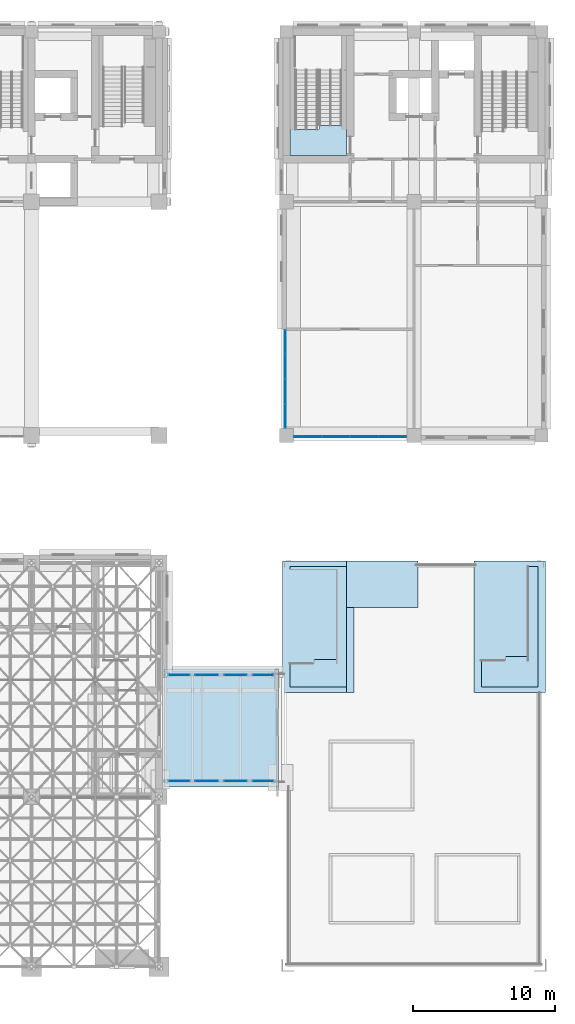
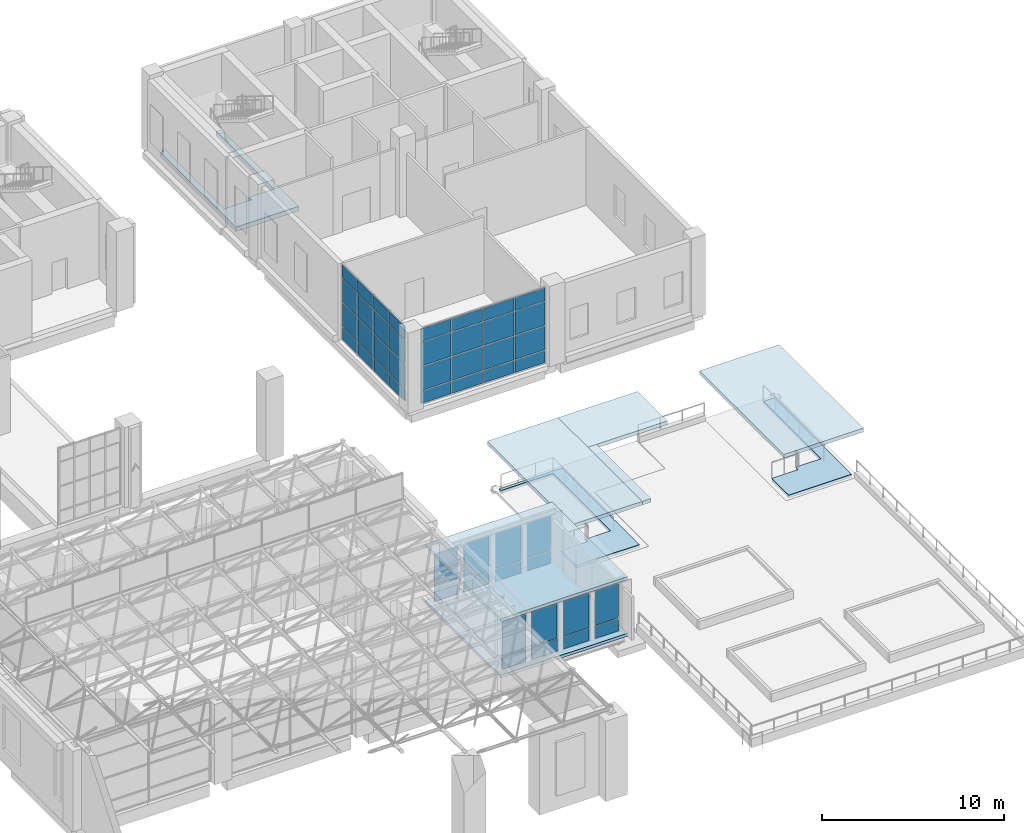
# One storey, part 23 of 53: 48 plates, 9 slabs, 11 elements without a shape of their own.
"""IFC4 building model written with IfcOpenShell, lengths in metres."""

from ifc_helpers import new_model, si_unit, direction, frame, origin, origin_2d, place, context, subcontext, project, spatial, polyline, rectangle, outline, extrude, material, layer, layer_set, type_object, element, aggregate, save


model = new_model("IFC4")

# Units and contexts
model_context = context("Model", 3, precision=1e-05, world=origin(), true_north=direction((0.0, 1.0)))
body_context = subcontext(model_context, "Body", "Model", "MODEL_VIEW")
ifc_project = project(units=[si_unit("LENGTHUNIT", "METRE"), si_unit("AREAUNIT", "SQUARE_METRE"), si_unit("VOLUMEUNIT", "CUBIC_METRE"), si_unit("PLANEANGLEUNIT", "RADIAN"), si_unit("MASSUNIT", "GRAM", prefix="KILO")], contexts=[model_context])

# Site, building, storey
site_placement = place(None, origin())
site = spatial("IfcSite", under=ifc_project, at=site_placement, CompositionType="ELEMENT")
building_placement = place(site_placement, origin())
building = spatial("IfcBuilding", under=site, at=building_placement, Name="Aurelan Courthouse", CompositionType="ELEMENT")
storey_placement = place(building_placement, frame((0.0, 0.0, 12.0)))
storey = spatial("IfcBuildingStorey", under=building, at=storey_placement, Name="L02", CompositionType="ELEMENT", Elevation=12.0)

# Curtain wall, plates
ifc_material_1 = material(Name="Bronze-finished aluminium and glass", Category="aluminium")
ifc_layer_1 = layer(ifc_material_1, 0.14990234375)
ifc_layer_set_1 = layer_set([ifc_layer_1], Name="Bronze-finished aluminium and glass")
curtain_wall_type_1 = type_object("IfcCurtainWallType", Name="Curtain wall 8000 x 5150", PredefinedType="NOTDEFINED", material=ifc_layer_set_1)
curtain_wall_1_placement = place(storey_placement, origin())
curtain_wall_1 = element("IfcCurtainWall", 1, at=curtain_wall_1_placement, inside=storey, type_object=curtain_wall_type_1, Name="Curtain wall CW-V3-L02-S01", PredefinedType="NOTDEFINED")
ifc_material_2 = material(Name="Bronze-finished aluminium", Category="aluminium")
ifc_layer_2 = layer(ifc_material_2, 0.070068359375)
ifc_layer_set_2 = layer_set([ifc_layer_2], Name="Bronze-finished aluminium")
plate_type_1 = type_object("IfcPlateType", Name="Bronze spandrel panel 70", PredefinedType="CURTAIN_PANEL", material=ifc_layer_set_2)
plate_1_placement = place(storey_placement, frame((73.514892578125, 37.425048828125, 4.22998046875), z_axis=(0.0, 0.0, 1.0), x_axis=(1.0, 0.0, 0.0)))
plate_1 = element("IfcPlate", 2, at=plate_1_placement, type_object=plate_type_1, Name="CW-V3-L02-S01 spandrel panel 1.4", PredefinedType="CURTAIN_PANEL", context=body_context, shape_type="SweptSolid", body=[
    extrude(rectangle(XDim=1.909912109375, YDim=0.070068359375, at=origin_2d()), origin(), (0.0, 0.0, 1.0), 0.860107421875),
])
plate_2_placement = place(storey_placement, frame((75.5, 37.425048828125, 4.22998046875), z_axis=(0.0, 0.0, 1.0), x_axis=(1.0, 0.0, 0.0)))
plate_2 = element("IfcPlate", 3, at=plate_2_placement, type_object=plate_type_1, Name="CW-V3-L02-S01 spandrel panel 2.4", PredefinedType="CURTAIN_PANEL", context=body_context, shape_type="SweptSolid", body=[
    extrude(rectangle(XDim=1.93994140625, YDim=0.070068359375, at=origin_2d()), origin(), (0.0, 0.0, 1.0), 0.860107421875),
])
plate_3_placement = place(storey_placement, frame((77.5, 37.425048828125, 4.22998046875), z_axis=(0.0, 0.0, 1.0), x_axis=(1.0, 0.0, 0.0)))
plate_3 = element("IfcPlate", 4, at=plate_3_placement, type_object=plate_type_1, Name="CW-V3-L02-S01 spandrel panel 3.4", PredefinedType="CURTAIN_PANEL", context=body_context, shape_type="SweptSolid", body=[
    extrude(rectangle(XDim=1.93994140625, YDim=0.070068359375, at=origin_2d()), origin(), (0.0, 0.0, 1.0), 0.860107421875),
])
plate_4_placement = place(storey_placement, frame((79.485107421875, 37.425048828125, 4.22998046875), z_axis=(0.0, 0.0, 1.0), x_axis=(1.0, 0.0, 0.0)))
plate_4 = element("IfcPlate", 5, at=plate_4_placement, type_object=plate_type_1, Name="CW-V3-L02-S01 spandrel panel 4.4", PredefinedType="CURTAIN_PANEL", context=body_context, shape_type="SweptSolid", body=[
    extrude(rectangle(XDim=1.909912109375, YDim=0.070068359375, at=origin_2d()), origin(), (0.0, 0.0, 1.0), 0.860107421875),
])

ifc_layer_3 = layer(ifc_material_1, 0.14990234375)
ifc_layer_set_3 = layer_set([ifc_layer_3], Name="Bronze-finished aluminium and glass")
curtain_wall_type_2 = type_object("IfcCurtainWallType", Name="Curtain wall 7000 x 5150", PredefinedType="NOTDEFINED", material=ifc_layer_set_3)
curtain_wall_2_placement = place(storey_placement, origin())
curtain_wall_2 = element("IfcCurtainWall", 6, at=curtain_wall_2_placement, inside=storey, type_object=curtain_wall_type_2, Name="Curtain wall CW-V3-L02-W01", PredefinedType="NOTDEFINED")
plate_5_placement = place(storey_placement, frame((71.925048828125, 38.889892578125, 4.22998046875), z_axis=(0.0, 0.0, 1.0), x_axis=(0.0, 1.0, 0.0)))
plate_5 = element("IfcPlate", 7, at=plate_5_placement, type_object=plate_type_1, Name="CW-V3-L02-W01 spandrel panel 1.4", PredefinedType="CURTAIN_PANEL", context=body_context, shape_type="SweptSolid", body=[
    extrude(rectangle(XDim=1.659912109375, YDim=0.070068359375, at=origin_2d()), origin(), (0.0, 0.0, 1.0), 0.860107421875),
])
plate_6_placement = place(storey_placement, frame((71.925048828125, 40.625, 4.22998046875), z_axis=(0.0, 0.0, 1.0), x_axis=(0.0, 1.0, 0.0)))
plate_6 = element("IfcPlate", 8, at=plate_6_placement, type_object=plate_type_1, Name="CW-V3-L02-W01 spandrel panel 2.4", PredefinedType="CURTAIN_PANEL", context=body_context, shape_type="SweptSolid", body=[
    extrude(rectangle(XDim=1.68994140625, YDim=0.070068359375, at=origin_2d()), origin(), (0.0, 0.0, 1.0), 0.860107421875),
])
plate_7_placement = place(storey_placement, frame((71.925048828125, 42.375, 4.22998046875), z_axis=(0.0, 0.0, 1.0), x_axis=(0.0, 1.0, 0.0)))
plate_7 = element("IfcPlate", 9, at=plate_7_placement, type_object=plate_type_1, Name="CW-V3-L02-W01 spandrel panel 3.4", PredefinedType="CURTAIN_PANEL", context=body_context, shape_type="SweptSolid", body=[
    extrude(rectangle(XDim=1.68994140625, YDim=0.070068359375, at=origin_2d()), origin(), (0.0, 0.0, 1.0), 0.860107421875),
])
plate_8_placement = place(storey_placement, frame((71.925048828125, 44.110107421875, 4.22998046875), z_axis=(0.0, 0.0, 1.0), x_axis=(0.0, 1.0, 0.0)))
plate_8 = element("IfcPlate", 10, at=plate_8_placement, type_object=plate_type_1, Name="CW-V3-L02-W01 spandrel panel 4.4", PredefinedType="CURTAIN_PANEL", context=body_context, shape_type="SweptSolid", body=[
    extrude(rectangle(XDim=1.659912109375, YDim=0.070068359375, at=origin_2d()), origin(), (0.0, 0.0, 1.0), 0.860107421875),
])

# Slabs
ifc_material_3 = material(Name="Concrete C40", Category="concrete")
ifc_layer_4 = layer(ifc_material_3, 0.25)
ifc_layer_set_4 = layer_set([ifc_layer_4], Name="Concrete C40")
slab_type_1 = type_object("IfcSlabType", Name="Head house roof slab 250", PredefinedType="ROOF", material=ifc_layer_set_4)
slab_1_placement = place(storey_placement, frame((0.0, 0.0, 2.902099609375)))
element("IfcSlab", 11, at=slab_1_placement, inside=storey, type_object=slab_type_1, Name="Head house roof HH-CORE-4", PredefinedType="ROOF", context=body_context, shape_type="SweptSolid", body=[
    extrude(outline(polyline([(76.219970703125, 25.360107421875), (81.280029296875, 25.360107421875), (81.280029296875, 28.639892578125), (76.219970703125, 28.639892578125), (76.219970703125, 25.360107421875)])), origin(), (0.0, 0.0, 1.0), 0.25),
])
slab_2_placement = place(storey_placement, frame((0.0, 0.0, 2.902099609375)))
element("IfcSlab", 12, at=slab_2_placement, inside=storey, type_object=slab_type_1, Name="Head house roof HH-ST-4A", PredefinedType="ROOF", context=body_context, shape_type="SweptSolid", body=[
    extrude(outline(polyline([(71.719970703125, 19.360107421875), (76.219970703125, 19.360107421875), (76.219970703125, 28.639892578125), (71.719970703125, 28.639892578125), (71.719970703125, 19.360107421875)])), origin(), (0.0, 0.0, 1.0), 0.25),
])
slab_3_placement = place(storey_placement, frame((0.0, 0.0, 2.902099609375)))
element("IfcSlab", 13, at=slab_3_placement, inside=storey, type_object=slab_type_1, Name="Head house roof HH-ST-4A-2", PredefinedType="ROOF", context=body_context, shape_type="SweptSolid", body=[
    extrude(outline(polyline([(76.219970703125, 19.360107421875), (76.780029296875, 19.360107421875), (76.780029296875, 25.360107421875), (76.219970703125, 25.360107421875), (76.219970703125, 19.360107421875)])), origin(), (0.0, 0.0, 1.0), 0.25),
])
slab_4_placement = place(storey_placement, frame((0.0, 0.0, 2.902099609375)))
element("IfcSlab", 14, at=slab_4_placement, inside=storey, type_object=slab_type_1, Name="Head house roof HH-ST-4B", PredefinedType="ROOF", context=body_context, shape_type="SweptSolid", body=[
    extrude(outline(polyline([(85.219970703125, 19.360107421875), (90.280029296875, 19.360107421875), (90.280029296875, 28.639892578125), (85.219970703125, 28.639892578125), (85.219970703125, 19.360107421875)])), origin(), (0.0, 0.0, 1.0), 0.25),
])
ifc_layer_5 = layer(ifc_material_3, 0.199951171875)
ifc_layer_set_5 = layer_set([ifc_layer_5], Name="Concrete C40")
slab_type_2 = type_object("IfcSlabType", Name="PT bridge floor slab 200", PredefinedType="FLOOR", material=ifc_layer_set_5)
slab_5_placement = place(storey_placement, frame((0.0, 0.0, -0.199951171875)))
element("IfcSlab", 15, at=slab_5_placement, inside=storey, type_object=slab_type_2, Name="Passage floor slab BR2", PredefinedType="FLOOR", context=body_context, shape_type="SweptSolid", body=[
    extrude(outline(polyline([(63.35009765625, 12.699951171875), (71.429931640625, 12.699951171875), (71.429931640625, 21.0), (63.35009765625, 21.0), (63.35009765625, 12.699951171875)])), origin(), (0.0, 0.0, 1.0), 0.199951171875),
])

# Curtain wall, plate
ifc_layer_6 = layer(ifc_material_1, 0.1201171875)
ifc_layer_set_6 = layer_set([ifc_layer_6], Name="Bronze-finished aluminium and glass")
curtain_wall_type_3 = type_object("IfcCurtainWallType", Name="Passage glazing 1570 x 3300", PredefinedType="NOTDEFINED", material=ifc_layer_set_6)
curtain_wall_3_placement = place(storey_placement, origin())
curtain_wall_3 = element("IfcCurtainWall", 16, at=curtain_wall_3_placement, inside=storey, type_object=curtain_wall_type_3, Name="Curtain wall CW-L02-BR201", PredefinedType="NOTDEFINED")
ifc_material_4 = material(Name="Laminated low-emissivity glass", Category="glass")
ifc_layer_7 = layer(ifc_material_4, 0.028076171875)
ifc_layer_set_7 = layer_set([ifc_layer_7], Name="Laminated low-emissivity glass")
plate_type_2 = type_object("IfcPlateType", Name="Passage glazing glass panel 28", PredefinedType="CURTAIN_PANEL", material=ifc_layer_set_7)
plate_9_placement = place(storey_placement, frame((64.43505859375, 13.10009765625, 0.927490234375), z_axis=(0.0, 0.0, 1.0), x_axis=(1.0, 0.0, 0.0)))
plate_9 = element("IfcPlate", 17, at=plate_9_placement, type_object=plate_type_2, Name="CW-L02-BR201 panel 1.2", PredefinedType="CURTAIN_PANEL", context=body_context, shape_type="SweptSolid", body=[
    extrude(rectangle(XDim=1.4599609375, YDim=0.028076171875, at=origin_2d()), origin(), (0.0, 0.0, 1.0), 2.3173828125),
])

ifc_layer_8 = layer(ifc_material_1, 0.1201171875)
ifc_layer_set_8 = layer_set([ifc_layer_8], Name="Bronze-finished aluminium and glass")
curtain_wall_type_4 = type_object("IfcCurtainWallType", Name="Passage glazing 1720 x 3300", PredefinedType="NOTDEFINED", material=ifc_layer_set_8)
curtain_wall_4_placement = place(storey_placement, origin())
curtain_wall_4 = element("IfcCurtainWall", 18, at=curtain_wall_4_placement, inside=storey, type_object=curtain_wall_type_4, Name="Curtain wall CW-L02-BR202", PredefinedType="NOTDEFINED")
plate_10_placement = place(storey_placement, frame((66.3798828125, 13.10009765625, 0.927490234375), z_axis=(0.0, 0.0, 1.0), x_axis=(1.0, 0.0, 0.0)))
plate_10 = element("IfcPlate", 19, at=plate_10_placement, type_object=plate_type_2, Name="CW-L02-BR202 panel 1.2", PredefinedType="CURTAIN_PANEL", context=body_context, shape_type="SweptSolid", body=[
    extrude(rectangle(XDim=1.610107421875, YDim=0.028076171875, at=origin_2d()), origin(), (0.0, 0.0, 1.0), 2.3173828125),
])

curtain_wall_5_placement = place(storey_placement, origin())
curtain_wall_5 = element("IfcCurtainWall", 20, at=curtain_wall_5_placement, inside=storey, type_object=curtain_wall_type_4, Name="Curtain wall CW-L02-BR203", PredefinedType="NOTDEFINED")
plate_11_placement = place(storey_placement, frame((68.39990234375, 13.10009765625, 0.927490234375), z_axis=(0.0, 0.0, 1.0), x_axis=(1.0, 0.0, 0.0)))
plate_11 = element("IfcPlate", 21, at=plate_11_placement, type_object=plate_type_2, Name="CW-L02-BR203 panel 1.2", PredefinedType="CURTAIN_PANEL", context=body_context, shape_type="SweptSolid", body=[
    extrude(rectangle(XDim=1.610107421875, YDim=0.028076171875, at=origin_2d()), origin(), (0.0, 0.0, 1.0), 2.3173828125),
])

curtain_wall_6_placement = place(storey_placement, origin())
curtain_wall_6 = element("IfcCurtainWall", 22, at=curtain_wall_6_placement, inside=storey, type_object=curtain_wall_type_3, Name="Curtain wall CW-L02-BR204", PredefinedType="NOTDEFINED")
plate_12_placement = place(storey_placement, frame((70.344970703125, 13.10009765625, 0.927490234375), z_axis=(0.0, 0.0, 1.0), x_axis=(1.0, 0.0, 0.0)))
plate_12 = element("IfcPlate", 23, at=plate_12_placement, type_object=plate_type_2, Name="CW-L02-BR204 panel 1.2", PredefinedType="CURTAIN_PANEL", context=body_context, shape_type="SweptSolid", body=[
    extrude(rectangle(XDim=1.4599609375, YDim=0.028076171875, at=origin_2d()), origin(), (0.0, 0.0, 1.0), 2.3173828125),
])

curtain_wall_7_placement = place(storey_placement, origin())
curtain_wall_7 = element("IfcCurtainWall", 24, at=curtain_wall_7_placement, inside=storey, type_object=curtain_wall_type_3, Name="Curtain wall CW-L02-BR205", PredefinedType="NOTDEFINED")
plate_13_placement = place(storey_placement, frame((64.43505859375, 20.60009765625, 0.927490234375), z_axis=(0.0, 0.0, 1.0), x_axis=(1.0, 0.0, 0.0)))
plate_13 = element("IfcPlate", 25, at=plate_13_placement, type_object=plate_type_2, Name="CW-L02-BR205 panel 1.2", PredefinedType="CURTAIN_PANEL", context=body_context, shape_type="SweptSolid", body=[
    extrude(rectangle(XDim=1.4599609375, YDim=0.028076171875, at=origin_2d()), origin(), (0.0, 0.0, 1.0), 2.3173828125),
])

curtain_wall_8_placement = place(storey_placement, origin())
curtain_wall_8 = element("IfcCurtainWall", 26, at=curtain_wall_8_placement, inside=storey, type_object=curtain_wall_type_4, Name="Curtain wall CW-L02-BR206", PredefinedType="NOTDEFINED")
plate_14_placement = place(storey_placement, frame((66.3798828125, 20.60009765625, 0.927490234375), z_axis=(0.0, 0.0, 1.0), x_axis=(1.0, 0.0, 0.0)))
plate_14 = element("IfcPlate", 27, at=plate_14_placement, type_object=plate_type_2, Name="CW-L02-BR206 panel 1.2", PredefinedType="CURTAIN_PANEL", context=body_context, shape_type="SweptSolid", body=[
    extrude(rectangle(XDim=1.610107421875, YDim=0.028076171875, at=origin_2d()), origin(), (0.0, 0.0, 1.0), 2.3173828125),
])

curtain_wall_9_placement = place(storey_placement, origin())
curtain_wall_9 = element("IfcCurtainWall", 28, at=curtain_wall_9_placement, inside=storey, type_object=curtain_wall_type_4, Name="Curtain wall CW-L02-BR207", PredefinedType="NOTDEFINED")
plate_15_placement = place(storey_placement, frame((68.39990234375, 20.60009765625, 0.927490234375), z_axis=(0.0, 0.0, 1.0), x_axis=(1.0, 0.0, 0.0)))
plate_15 = element("IfcPlate", 29, at=plate_15_placement, type_object=plate_type_2, Name="CW-L02-BR207 panel 1.2", PredefinedType="CURTAIN_PANEL", context=body_context, shape_type="SweptSolid", body=[
    extrude(rectangle(XDim=1.610107421875, YDim=0.028076171875, at=origin_2d()), origin(), (0.0, 0.0, 1.0), 2.3173828125),
])

curtain_wall_10_placement = place(storey_placement, origin())
curtain_wall_10 = element("IfcCurtainWall", 30, at=curtain_wall_10_placement, inside=storey, type_object=curtain_wall_type_3, Name="Curtain wall CW-L02-BR208", PredefinedType="NOTDEFINED")
plate_16_placement = place(storey_placement, frame((70.344970703125, 20.60009765625, 0.927490234375), z_axis=(0.0, 0.0, 1.0), x_axis=(1.0, 0.0, 0.0)))
plate_16 = element("IfcPlate", 31, at=plate_16_placement, type_object=plate_type_2, Name="CW-L02-BR208 panel 1.2", PredefinedType="CURTAIN_PANEL", context=body_context, shape_type="SweptSolid", body=[
    extrude(rectangle(XDim=1.4599609375, YDim=0.028076171875, at=origin_2d()), origin(), (0.0, 0.0, 1.0), 2.3173828125),
])

# Slab
ifc_material_5 = material(Name="Composite steel deck S355 with concrete topping C30/37", Category="concrete")
ifc_layer_9 = layer(ifc_material_5, 0.199951171875)
ifc_layer_set_9 = layer_set([ifc_layer_9], Name="Composite steel deck S355 with concrete topping C30/37")
slab_type_3 = type_object("IfcSlabType", Name="Passage roof deck 200", PredefinedType="ROOF", material=ifc_layer_set_9)
slab_6_placement = place(storey_placement, frame((0.0, 0.0, 3.60009765625)))
element("IfcSlab", 32, at=slab_6_placement, inside=storey, type_object=slab_type_3, Name="Passage roof BR2", PredefinedType="ROOF", context=body_context, shape_type="SweptSolid", body=[
    extrude(outline(polyline([(63.35009765625, 12.699951171875), (71.429931640625, 12.699951171875), (71.429931640625, 21.0), (63.35009765625, 21.0), (63.35009765625, 12.699951171875)])), origin(), (0.0, 0.0, 1.0), 0.199951171875),
])

# Plate
ifc_layer_10 = layer(ifc_material_2, 0.0400390625)
ifc_layer_set_10 = layer_set([ifc_layer_10], Name="Bronze-finished aluminium")
plate_type_3 = type_object("IfcPlateType", Name="Passage sill panel 40", PredefinedType="CURTAIN_PANEL", material=ifc_layer_set_10)
plate_17_placement = place(storey_placement, frame((64.43505859375, 13.10009765625, 0.05517578125), z_axis=(0.0, 0.0, 1.0), x_axis=(1.0, 0.0, 0.0)))
plate_17 = element("IfcPlate", 33, at=plate_17_placement, type_object=plate_type_3, Name="CW-L02-BR201 panel 1.1", PredefinedType="CURTAIN_PANEL", context=body_context, shape_type="SweptSolid", body=[
    extrude(rectangle(XDim=1.4599609375, YDim=0.0400390625, at=origin_2d()), origin(), (0.0, 0.0, 1.0), 0.8173828125),
])

aggregate(curtain_wall_3, [plate_17, plate_9])

plate_18_placement = place(storey_placement, frame((66.3798828125, 13.10009765625, 0.05517578125), z_axis=(0.0, 0.0, 1.0), x_axis=(1.0, 0.0, 0.0)))
plate_18 = element("IfcPlate", 34, at=plate_18_placement, type_object=plate_type_3, Name="CW-L02-BR202 panel 1.1", PredefinedType="CURTAIN_PANEL", context=body_context, shape_type="SweptSolid", body=[
    extrude(rectangle(XDim=1.610107421875, YDim=0.0400390625, at=origin_2d()), origin(), (0.0, 0.0, 1.0), 0.8173828125),
])

aggregate(curtain_wall_4, [plate_18, plate_10])

plate_19_placement = place(storey_placement, frame((68.39990234375, 13.10009765625, 0.05517578125), z_axis=(0.0, 0.0, 1.0), x_axis=(1.0, 0.0, 0.0)))
plate_19 = element("IfcPlate", 35, at=plate_19_placement, type_object=plate_type_3, Name="CW-L02-BR203 panel 1.1", PredefinedType="CURTAIN_PANEL", context=body_context, shape_type="SweptSolid", body=[
    extrude(rectangle(XDim=1.610107421875, YDim=0.0400390625, at=origin_2d()), origin(), (0.0, 0.0, 1.0), 0.8173828125),
])

aggregate(curtain_wall_5, [plate_19, plate_11])

plate_20_placement = place(storey_placement, frame((70.344970703125, 13.10009765625, 0.05517578125), z_axis=(0.0, 0.0, 1.0), x_axis=(1.0, 0.0, 0.0)))
plate_20 = element("IfcPlate", 36, at=plate_20_placement, type_object=plate_type_3, Name="CW-L02-BR204 panel 1.1", PredefinedType="CURTAIN_PANEL", context=body_context, shape_type="SweptSolid", body=[
    extrude(rectangle(XDim=1.4599609375, YDim=0.0400390625, at=origin_2d()), origin(), (0.0, 0.0, 1.0), 0.8173828125),
])

aggregate(curtain_wall_6, [plate_20, plate_12])

plate_21_placement = place(storey_placement, frame((64.43505859375, 20.60009765625, 0.05517578125), z_axis=(0.0, 0.0, 1.0), x_axis=(1.0, 0.0, 0.0)))
plate_21 = element("IfcPlate", 37, at=plate_21_placement, type_object=plate_type_3, Name="CW-L02-BR205 panel 1.1", PredefinedType="CURTAIN_PANEL", context=body_context, shape_type="SweptSolid", body=[
    extrude(rectangle(XDim=1.4599609375, YDim=0.0400390625, at=origin_2d()), origin(), (0.0, 0.0, 1.0), 0.8173828125),
])

aggregate(curtain_wall_7, [plate_21, plate_13])

plate_22_placement = place(storey_placement, frame((66.3798828125, 20.60009765625, 0.05517578125), z_axis=(0.0, 0.0, 1.0), x_axis=(1.0, 0.0, 0.0)))
plate_22 = element("IfcPlate", 38, at=plate_22_placement, type_object=plate_type_3, Name="CW-L02-BR206 panel 1.1", PredefinedType="CURTAIN_PANEL", context=body_context, shape_type="SweptSolid", body=[
    extrude(rectangle(XDim=1.610107421875, YDim=0.0400390625, at=origin_2d()), origin(), (0.0, 0.0, 1.0), 0.8173828125),
])

aggregate(curtain_wall_8, [plate_22, plate_14])

plate_23_placement = place(storey_placement, frame((68.39990234375, 20.60009765625, 0.05517578125), z_axis=(0.0, 0.0, 1.0), x_axis=(1.0, 0.0, 0.0)))
plate_23 = element("IfcPlate", 39, at=plate_23_placement, type_object=plate_type_3, Name="CW-L02-BR207 panel 1.1", PredefinedType="CURTAIN_PANEL", context=body_context, shape_type="SweptSolid", body=[
    extrude(rectangle(XDim=1.610107421875, YDim=0.0400390625, at=origin_2d()), origin(), (0.0, 0.0, 1.0), 0.8173828125),
])

aggregate(curtain_wall_9, [plate_23, plate_15])

plate_24_placement = place(storey_placement, frame((70.344970703125, 20.60009765625, 0.05517578125), z_axis=(0.0, 0.0, 1.0), x_axis=(1.0, 0.0, 0.0)))
plate_24 = element("IfcPlate", 40, at=plate_24_placement, type_object=plate_type_3, Name="CW-L02-BR208 panel 1.1", PredefinedType="CURTAIN_PANEL", context=body_context, shape_type="SweptSolid", body=[
    extrude(rectangle(XDim=1.4599609375, YDim=0.0400390625, at=origin_2d()), origin(), (0.0, 0.0, 1.0), 0.8173828125),
])

aggregate(curtain_wall_10, [plate_24, plate_16])

ifc_layer_11 = layer(ifc_material_2, 0.0400390625)
ifc_layer_set_11 = layer_set([ifc_layer_11], Name="Bronze-finished aluminium")
plate_type_4 = type_object("IfcPlateType", Name="Sill panel 40", PredefinedType="CURTAIN_PANEL", material=ifc_layer_set_11)
plate_25_placement = place(storey_placement, frame((73.514892578125, 37.425048828125, 0.06005859375), z_axis=(0.0, 0.0, 1.0), x_axis=(1.0, 0.0, 0.0)))
plate_25 = element("IfcPlate", 41, at=plate_25_placement, type_object=plate_type_4, Name="CW-V3-L02-S01 sill panel 1.1", PredefinedType="CURTAIN_PANEL", context=body_context, shape_type="SweptSolid", body=[
    extrude(rectangle(XDim=1.909912109375, YDim=0.0400390625, at=origin_2d()), origin(), (0.0, 0.0, 1.0), 0.81005859375),
])

plate_26_placement = place(storey_placement, frame((75.5, 37.425048828125, 0.06005859375), z_axis=(0.0, 0.0, 1.0), x_axis=(1.0, 0.0, 0.0)))
plate_26 = element("IfcPlate", 42, at=plate_26_placement, type_object=plate_type_4, Name="CW-V3-L02-S01 sill panel 2.1", PredefinedType="CURTAIN_PANEL", context=body_context, shape_type="SweptSolid", body=[
    extrude(rectangle(XDim=1.93994140625, YDim=0.0400390625, at=origin_2d()), origin(), (0.0, 0.0, 1.0), 0.81005859375),
])

plate_27_placement = place(storey_placement, frame((77.5, 37.425048828125, 0.06005859375), z_axis=(0.0, 0.0, 1.0), x_axis=(1.0, 0.0, 0.0)))
plate_27 = element("IfcPlate", 43, at=plate_27_placement, type_object=plate_type_4, Name="CW-V3-L02-S01 sill panel 3.1", PredefinedType="CURTAIN_PANEL", context=body_context, shape_type="SweptSolid", body=[
    extrude(rectangle(XDim=1.93994140625, YDim=0.0400390625, at=origin_2d()), origin(), (0.0, 0.0, 1.0), 0.81005859375),
])

plate_28_placement = place(storey_placement, frame((79.485107421875, 37.425048828125, 0.06005859375), z_axis=(0.0, 0.0, 1.0), x_axis=(1.0, 0.0, 0.0)))
plate_28 = element("IfcPlate", 44, at=plate_28_placement, type_object=plate_type_4, Name="CW-V3-L02-S01 sill panel 4.1", PredefinedType="CURTAIN_PANEL", context=body_context, shape_type="SweptSolid", body=[
    extrude(rectangle(XDim=1.909912109375, YDim=0.0400390625, at=origin_2d()), origin(), (0.0, 0.0, 1.0), 0.81005859375),
])

plate_29_placement = place(storey_placement, frame((71.925048828125, 38.889892578125, 0.06005859375), z_axis=(0.0, 0.0, 1.0), x_axis=(0.0, 1.0, 0.0)))
plate_29 = element("IfcPlate", 45, at=plate_29_placement, type_object=plate_type_4, Name="CW-V3-L02-W01 sill panel 1.1", PredefinedType="CURTAIN_PANEL", context=body_context, shape_type="SweptSolid", body=[
    extrude(rectangle(XDim=1.659912109375, YDim=0.0400390625, at=origin_2d()), origin(), (0.0, 0.0, 1.0), 0.81005859375),
])

plate_30_placement = place(storey_placement, frame((71.925048828125, 40.625, 0.06005859375), z_axis=(0.0, 0.0, 1.0), x_axis=(0.0, 1.0, 0.0)))
plate_30 = element("IfcPlate", 46, at=plate_30_placement, type_object=plate_type_4, Name="CW-V3-L02-W01 sill panel 2.1", PredefinedType="CURTAIN_PANEL", context=body_context, shape_type="SweptSolid", body=[
    extrude(rectangle(XDim=1.68994140625, YDim=0.0400390625, at=origin_2d()), origin(), (0.0, 0.0, 1.0), 0.81005859375),
])

plate_31_placement = place(storey_placement, frame((71.925048828125, 42.375, 0.06005859375), z_axis=(0.0, 0.0, 1.0), x_axis=(0.0, 1.0, 0.0)))
plate_31 = element("IfcPlate", 47, at=plate_31_placement, type_object=plate_type_4, Name="CW-V3-L02-W01 sill panel 3.1", PredefinedType="CURTAIN_PANEL", context=body_context, shape_type="SweptSolid", body=[
    extrude(rectangle(XDim=1.68994140625, YDim=0.0400390625, at=origin_2d()), origin(), (0.0, 0.0, 1.0), 0.81005859375),
])

plate_32_placement = place(storey_placement, frame((71.925048828125, 44.110107421875, 0.06005859375), z_axis=(0.0, 0.0, 1.0), x_axis=(0.0, 1.0, 0.0)))
plate_32 = element("IfcPlate", 48, at=plate_32_placement, type_object=plate_type_4, Name="CW-V3-L02-W01 sill panel 4.1", PredefinedType="CURTAIN_PANEL", context=body_context, shape_type="SweptSolid", body=[
    extrude(rectangle(XDim=1.659912109375, YDim=0.0400390625, at=origin_2d()), origin(), (0.0, 0.0, 1.0), 0.81005859375),
])

# Slabs
ifc_material_6 = material(Name="Concrete C30", Category="concrete")
ifc_layer_12 = layer(ifc_material_6, 0.197998046875)
ifc_layer_set_12 = layer_set([ifc_layer_12], Name="Concrete C30")
slab_type_4 = type_object("IfcSlabType", Name="Stair floor landing 198 thick", PredefinedType="LANDING", material=ifc_layer_set_12)
slab_7_placement = place(storey_placement, frame((0.0, 0.0, -0.197998046875)))
element("IfcSlab", 49, at=slab_7_placement, inside=storey, type_object=slab_type_4, Name="Stair ST-4A landing L02", PredefinedType="LANDING", context=body_context, shape_type="SweptSolid", body=[
    extrude(outline(polyline([(73.949951171875, 21.69091796875), (75.550048828125, 21.69091796875), (75.550048828125, 28.050048828125), (72.25, 28.050048828125), (72.25, 28.25), (76.25, 28.25), (76.25, 19.75), (72.25, 19.75), (72.25, 21.410888671875), (73.949951171875, 21.410888671875), (73.949951171875, 21.69091796875)])), origin(), (0.0, 0.0, 1.0), 0.197998046875),
])
slab_8_placement = place(storey_placement, frame((0.0, 0.0, -0.197998046875)))
element("IfcSlab", 50, at=slab_8_placement, inside=storey, type_object=slab_type_4, Name="Stair ST-4B landing L02", PredefinedType="LANDING", context=body_context, shape_type="SweptSolid", body=[
    extrude(outline(polyline([(87.449951171875, 21.89111328125), (89.050048828125, 21.89111328125), (89.050048828125, 28.25), (89.75, 28.25), (89.75, 19.75), (85.75, 19.75), (85.75, 21.611083984375), (87.449951171875, 21.611083984375), (87.449951171875, 21.89111328125)])), origin(), (0.0, 0.0, 1.0), 0.197998046875),
])

# Stair, slab
stair_type = type_object("IfcStairType", Name="Half-turn stair 1600 wide 31 risers", PredefinedType="HALF_TURN_STAIR", material=ifc_material_6)
stair_placement = place(storey_placement, origin())
stair = element("IfcStair", 51, at=stair_placement, inside=storey, type_object=stair_type, Name="Stair ST-3A-L02", PredefinedType="HALF_TURN_STAIR")
ifc_layer_13 = layer(ifc_material_6, 0.300048828125)
ifc_layer_set_13 = layer_set([ifc_layer_13], Name="Concrete C30")
slab_type_5 = type_object("IfcSlabType", Name="Stair floor landing 300 thick", PredefinedType="LANDING", material=ifc_layer_set_13)
slab_9_placement = place(storey_placement, frame((0.0, 0.0, -0.300048828125)))
slab_9 = element("IfcSlab", 52, at=slab_9_placement, type_object=slab_type_5, Name="Stair ST-3A-L02 floor landing", PredefinedType="LANDING", context=body_context, shape_type="SweptSolid", body=[
    extrude(outline(polyline([(72.60009765625, 59.111083984375), (74.300048828125, 59.111083984375), (74.300048828125, 59.39111328125), (75.89990234375, 59.39111328125), (75.89990234375, 65.75), (76.25, 65.75), (76.25, 57.25), (72.25, 57.25), (72.25, 65.550048828125), (72.449951171875, 65.550048828125), (72.449951171875, 65.75), (72.60009765625, 65.75), (72.60009765625, 59.111083984375)])), origin(), (0.0, 0.0, 1.0), 0.300048828125),
])
aggregate(stair, [slab_9])

# Plate
ifc_layer_14 = layer(ifc_material_4, 0.031982421875)
ifc_layer_set_14 = layer_set([ifc_layer_14], Name="Laminated low-emissivity glass")
plate_type_5 = type_object("IfcPlateType", Name="Vision glass panel 32", PredefinedType="CURTAIN_PANEL", material=ifc_layer_set_14)
plate_33_placement = place(storey_placement, frame((73.514892578125, 37.425048828125, 0.93017578125), z_axis=(0.0, 0.0, 1.0), x_axis=(1.0, 0.0, 0.0)))
plate_33 = element("IfcPlate", 53, at=plate_33_placement, type_object=plate_type_5, Name="CW-V3-L02-S01 vision panel 1.2", PredefinedType="CURTAIN_PANEL", context=body_context, shape_type="SweptSolid", body=[
    extrude(rectangle(XDim=1.909912109375, YDim=0.031982421875, at=origin_2d()), origin(), (0.0, 0.0, 1.0), 1.590087890625),
])

plate_34_placement = place(storey_placement, frame((73.514892578125, 37.425048828125, 2.580078125), z_axis=(0.0, 0.0, 1.0), x_axis=(1.0, 0.0, 0.0)))
plate_34 = element("IfcPlate", 54, at=plate_34_placement, type_object=plate_type_5, Name="CW-V3-L02-S01 vision panel 1.3", PredefinedType="CURTAIN_PANEL", context=body_context, shape_type="SweptSolid", body=[
    extrude(rectangle(XDim=1.909912109375, YDim=0.031982421875, at=origin_2d()), origin(), (0.0, 0.0, 1.0), 1.590087890625),
])

plate_35_placement = place(storey_placement, frame((75.5, 37.425048828125, 0.93017578125), z_axis=(0.0, 0.0, 1.0), x_axis=(1.0, 0.0, 0.0)))
plate_35 = element("IfcPlate", 55, at=plate_35_placement, type_object=plate_type_5, Name="CW-V3-L02-S01 vision panel 2.2", PredefinedType="CURTAIN_PANEL", context=body_context, shape_type="SweptSolid", body=[
    extrude(rectangle(XDim=1.93994140625, YDim=0.031982421875, at=origin_2d()), origin(), (0.0, 0.0, 1.0), 1.590087890625),
])

plate_36_placement = place(storey_placement, frame((75.5, 37.425048828125, 2.580078125), z_axis=(0.0, 0.0, 1.0), x_axis=(1.0, 0.0, 0.0)))
plate_36 = element("IfcPlate", 56, at=plate_36_placement, type_object=plate_type_5, Name="CW-V3-L02-S01 vision panel 2.3", PredefinedType="CURTAIN_PANEL", context=body_context, shape_type="SweptSolid", body=[
    extrude(rectangle(XDim=1.93994140625, YDim=0.031982421875, at=origin_2d()), origin(), (0.0, 0.0, 1.0), 1.590087890625),
])

plate_37_placement = place(storey_placement, frame((77.5, 37.425048828125, 0.93017578125), z_axis=(0.0, 0.0, 1.0), x_axis=(1.0, 0.0, 0.0)))
plate_37 = element("IfcPlate", 57, at=plate_37_placement, type_object=plate_type_5, Name="CW-V3-L02-S01 vision panel 3.2", PredefinedType="CURTAIN_PANEL", context=body_context, shape_type="SweptSolid", body=[
    extrude(rectangle(XDim=1.93994140625, YDim=0.031982421875, at=origin_2d()), origin(), (0.0, 0.0, 1.0), 1.590087890625),
])

plate_38_placement = place(storey_placement, frame((77.5, 37.425048828125, 2.580078125), z_axis=(0.0, 0.0, 1.0), x_axis=(1.0, 0.0, 0.0)))
plate_38 = element("IfcPlate", 58, at=plate_38_placement, type_object=plate_type_5, Name="CW-V3-L02-S01 vision panel 3.3", PredefinedType="CURTAIN_PANEL", context=body_context, shape_type="SweptSolid", body=[
    extrude(rectangle(XDim=1.93994140625, YDim=0.031982421875, at=origin_2d()), origin(), (0.0, 0.0, 1.0), 1.590087890625),
])

plate_39_placement = place(storey_placement, frame((79.485107421875, 37.425048828125, 0.93017578125), z_axis=(0.0, 0.0, 1.0), x_axis=(1.0, 0.0, 0.0)))
plate_39 = element("IfcPlate", 59, at=plate_39_placement, type_object=plate_type_5, Name="CW-V3-L02-S01 vision panel 4.2", PredefinedType="CURTAIN_PANEL", context=body_context, shape_type="SweptSolid", body=[
    extrude(rectangle(XDim=1.909912109375, YDim=0.031982421875, at=origin_2d()), origin(), (0.0, 0.0, 1.0), 1.590087890625),
])

plate_40_placement = place(storey_placement, frame((79.485107421875, 37.425048828125, 2.580078125), z_axis=(0.0, 0.0, 1.0), x_axis=(1.0, 0.0, 0.0)))
plate_40 = element("IfcPlate", 60, at=plate_40_placement, type_object=plate_type_5, Name="CW-V3-L02-S01 vision panel 4.3", PredefinedType="CURTAIN_PANEL", context=body_context, shape_type="SweptSolid", body=[
    extrude(rectangle(XDim=1.909912109375, YDim=0.031982421875, at=origin_2d()), origin(), (0.0, 0.0, 1.0), 1.590087890625),
])

aggregate(curtain_wall_1, [plate_25, plate_33, plate_34, plate_1, plate_26, plate_35, plate_36, plate_2, plate_27, plate_37, plate_38, plate_3, plate_28, plate_39, plate_40, plate_4])

plate_41_placement = place(storey_placement, frame((71.925048828125, 38.889892578125, 0.93017578125), z_axis=(0.0, 0.0, 1.0), x_axis=(0.0, 1.0, 0.0)))
plate_41 = element("IfcPlate", 61, at=plate_41_placement, type_object=plate_type_5, Name="CW-V3-L02-W01 vision panel 1.2", PredefinedType="CURTAIN_PANEL", context=body_context, shape_type="SweptSolid", body=[
    extrude(rectangle(XDim=1.659912109375, YDim=0.031982421875, at=origin_2d()), origin(), (0.0, 0.0, 1.0), 1.590087890625),
])

plate_42_placement = place(storey_placement, frame((71.925048828125, 38.889892578125, 2.580078125), z_axis=(0.0, 0.0, 1.0), x_axis=(0.0, 1.0, 0.0)))
plate_42 = element("IfcPlate", 62, at=plate_42_placement, type_object=plate_type_5, Name="CW-V3-L02-W01 vision panel 1.3", PredefinedType="CURTAIN_PANEL", context=body_context, shape_type="SweptSolid", body=[
    extrude(rectangle(XDim=1.659912109375, YDim=0.031982421875, at=origin_2d()), origin(), (0.0, 0.0, 1.0), 1.590087890625),
])

plate_43_placement = place(storey_placement, frame((71.925048828125, 40.625, 0.93017578125), z_axis=(0.0, 0.0, 1.0), x_axis=(0.0, 1.0, 0.0)))
plate_43 = element("IfcPlate", 63, at=plate_43_placement, type_object=plate_type_5, Name="CW-V3-L02-W01 vision panel 2.2", PredefinedType="CURTAIN_PANEL", context=body_context, shape_type="SweptSolid", body=[
    extrude(rectangle(XDim=1.68994140625, YDim=0.031982421875, at=origin_2d()), origin(), (0.0, 0.0, 1.0), 1.590087890625),
])

plate_44_placement = place(storey_placement, frame((71.925048828125, 40.625, 2.580078125), z_axis=(0.0, 0.0, 1.0), x_axis=(0.0, 1.0, 0.0)))
plate_44 = element("IfcPlate", 64, at=plate_44_placement, type_object=plate_type_5, Name="CW-V3-L02-W01 vision panel 2.3", PredefinedType="CURTAIN_PANEL", context=body_context, shape_type="SweptSolid", body=[
    extrude(rectangle(XDim=1.68994140625, YDim=0.031982421875, at=origin_2d()), origin(), (0.0, 0.0, 1.0), 1.590087890625),
])

plate_45_placement = place(storey_placement, frame((71.925048828125, 42.375, 0.93017578125), z_axis=(0.0, 0.0, 1.0), x_axis=(0.0, 1.0, 0.0)))
plate_45 = element("IfcPlate", 65, at=plate_45_placement, type_object=plate_type_5, Name="CW-V3-L02-W01 vision panel 3.2", PredefinedType="CURTAIN_PANEL", context=body_context, shape_type="SweptSolid", body=[
    extrude(rectangle(XDim=1.68994140625, YDim=0.031982421875, at=origin_2d()), origin(), (0.0, 0.0, 1.0), 1.590087890625),
])

plate_46_placement = place(storey_placement, frame((71.925048828125, 42.375, 2.580078125), z_axis=(0.0, 0.0, 1.0), x_axis=(0.0, 1.0, 0.0)))
plate_46 = element("IfcPlate", 66, at=plate_46_placement, type_object=plate_type_5, Name="CW-V3-L02-W01 vision panel 3.3", PredefinedType="CURTAIN_PANEL", context=body_context, shape_type="SweptSolid", body=[
    extrude(rectangle(XDim=1.68994140625, YDim=0.031982421875, at=origin_2d()), origin(), (0.0, 0.0, 1.0), 1.590087890625),
])

plate_47_placement = place(storey_placement, frame((71.925048828125, 44.110107421875, 0.93017578125), z_axis=(0.0, 0.0, 1.0), x_axis=(0.0, 1.0, 0.0)))
plate_47 = element("IfcPlate", 67, at=plate_47_placement, type_object=plate_type_5, Name="CW-V3-L02-W01 vision panel 4.2", PredefinedType="CURTAIN_PANEL", context=body_context, shape_type="SweptSolid", body=[
    extrude(rectangle(XDim=1.659912109375, YDim=0.031982421875, at=origin_2d()), origin(), (0.0, 0.0, 1.0), 1.590087890625),
])

plate_48_placement = place(storey_placement, frame((71.925048828125, 44.110107421875, 2.580078125), z_axis=(0.0, 0.0, 1.0), x_axis=(0.0, 1.0, 0.0)))
plate_48 = element("IfcPlate", 68, at=plate_48_placement, type_object=plate_type_5, Name="CW-V3-L02-W01 vision panel 4.3", PredefinedType="CURTAIN_PANEL", context=body_context, shape_type="SweptSolid", body=[
    extrude(rectangle(XDim=1.659912109375, YDim=0.031982421875, at=origin_2d()), origin(), (0.0, 0.0, 1.0), 1.590087890625),
])

aggregate(curtain_wall_2, [plate_29, plate_41, plate_42, plate_5, plate_30, plate_43, plate_44, plate_6, plate_31, plate_45, plate_46, plate_7, plate_32, plate_47, plate_48, plate_8])

save(model, "model.ifc")
